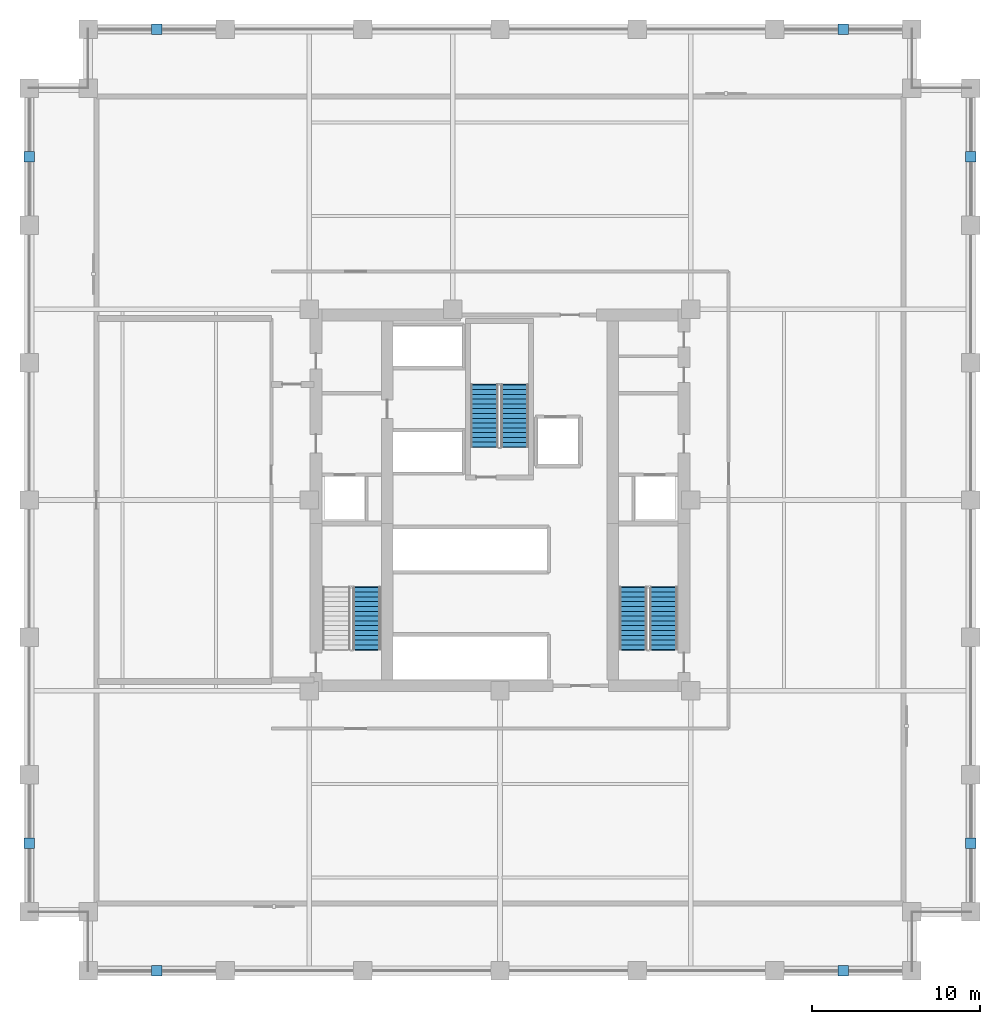
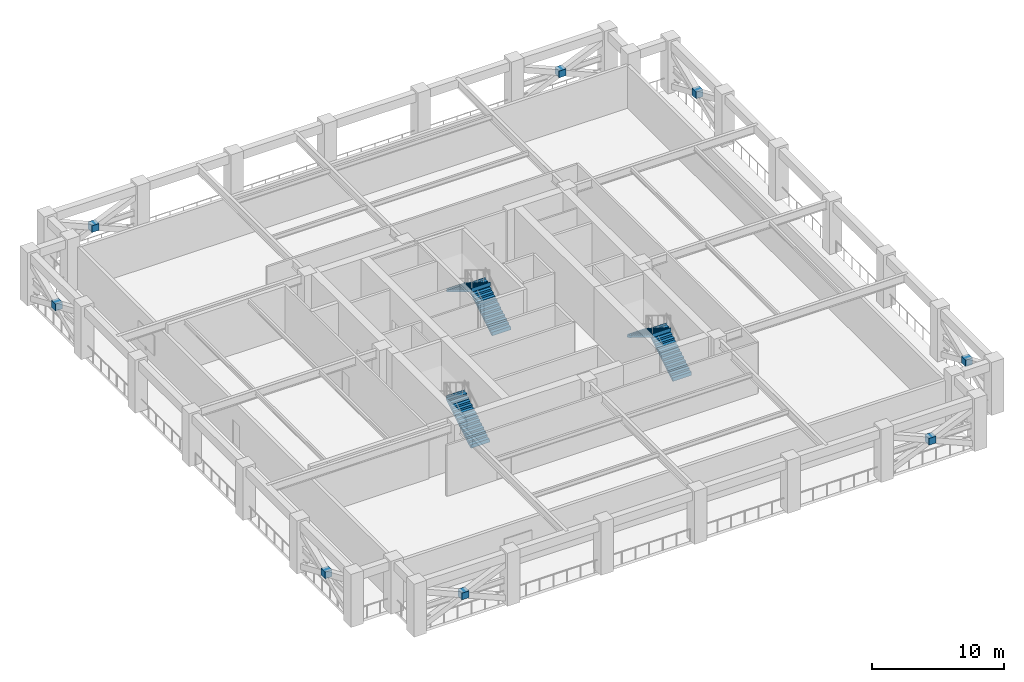
# One storey, part 4 of 11: 8 discrete accessories, 5 stair flights, 3 elements without a shape of their own.
"""IFC4 building model written with IfcOpenShell, lengths in metres."""

from ifc_helpers import new_model, si_unit, direction, frame, origin, origin_2d, place, context, subcontext, project, spatial, polyline, rectangle, outline, extrude, material, type_object, element, aggregate, save


model = new_model("IFC4")

# Units and contexts
model_context = context("Model", 3, precision=1e-05, world=origin(), true_north=direction((0.0, 1.0)))
body_context = subcontext(model_context, "Body", "Model", "MODEL_VIEW")
ifc_project = project(units=[si_unit("LENGTHUNIT", "METRE"), si_unit("AREAUNIT", "SQUARE_METRE"), si_unit("VOLUMEUNIT", "CUBIC_METRE"), si_unit("PLANEANGLEUNIT", "RADIAN"), si_unit("MASSUNIT", "GRAM", prefix="KILO")], contexts=[model_context])

# Site, building, storey
site_placement = place(None, origin())
site = spatial("IfcSite", under=ifc_project, at=site_placement, CompositionType="ELEMENT")
building_placement = place(site_placement, origin())
building = spatial("IfcBuilding", under=site, at=building_placement, Name="Nhamokura Convention Tower", CompositionType="ELEMENT")
storey_placement = place(building_placement, frame((0.0, 0.0, 77.35009765625)))
storey = spatial("IfcBuildingStorey", under=building, at=storey_placement, Name="L18", CompositionType="ELEMENT", Elevation=77.35009765625)

# Stair, stair flight
ifc_material_1 = material(Name="Concrete C40/50", Category="concrete")
stair_type = type_object("IfcStairType", Name="TowerCoreStair_1650", PredefinedType="HALF_TURN_STAIR", material=ifc_material_1)
stair_1_placement = place(storey_placement, origin())
stair_1 = element("IfcStair", 1, at=stair_1_placement, inside=storey, type_object=stair_type, Name="L18 West Core Smokeproof Stair ST-01", PredefinedType="HALF_TURN_STAIR")
ifc_material_2 = material(Name="Concrete C40/50", Category="concrete")
stair_flight_type = type_object("IfcStairFlightType", Name="TowerCoreStair_1650_Flight", PredefinedType="STRAIGHT", material=ifc_material_2)
stair_flight_1_placement = place(storey_placement, frame((24.074951171875, 23.10009765625, 0.0), z_axis=(0.0, 0.0, 1.0), x_axis=(0.0, 1.0, 0.0)))
stair_flight_1 = element("IfcStairFlight", 2, at=stair_flight_1_placement, type_object=stair_flight_type, Name="ST-01 flight 1", NumberOfRisers=14, NumberOfTreads=13, PredefinedType="STRAIGHT", RiserHeight=0.175, TreadLength=0.285, context=body_context, shape_type="SweptSolid", body=[
    extrude(outline(polyline([(-0.0419921875, 0.0), (0.0, 0.175048828125), (0.284912109375, 0.175048828125), (0.284912109375, 0.35009765625), (0.570068359375, 0.35009765625), (0.570068359375, 0.52490234375), (0.85498046875, 0.52490234375), (0.85498046875, 0.699951171875), (1.139892578125, 0.699951171875), (1.139892578125, 0.875), (1.425048828125, 0.875), (1.425048828125, 1.050048828125), (1.7099609375, 1.050048828125), (1.7099609375, 1.22509765625), (1.9951171875, 1.22509765625), (1.9951171875, 1.39990234375), (2.280029296875, 1.39990234375), (2.280029296875, 1.574951171875), (2.56494140625, 1.574951171875), (2.56494140625, 1.75), (2.85009765625, 1.75), (2.85009765625, 1.925048828125), (3.135009765625, 1.925048828125), (3.135009765625, 2.10009765625), (3.419921875, 2.10009765625), (3.419921875, 2.27490234375), (3.705078125, 2.27490234375), (3.705078125, 2.449951171875), (3.7470703125, 2.449951171875), (3.7470703125, 2.09912109375), (3.705078125, 2.09912109375), (0.286376953125, 0.0), (0.02001953125, -0.1298828125), (-0.0419921875, -0.1298828125), (-0.0419921875, 0.0)])), frame((0.0, 0.824951171875, 0.0), z_axis=(0.0, -1.0, 0.0), x_axis=(1.0, 0.0, 0.0)), (0.0, 0.0, 1.0), 1.64990234375),
])
aggregate(stair_1, [stair_flight_1])

# Stair, stair flights
stair_2_placement = place(storey_placement, origin())
stair_2 = element("IfcStair", 3, at=stair_2_placement, inside=storey, type_object=stair_type, Name="L18 East Core Smokeproof Stair ST-02", PredefinedType="HALF_TURN_STAIR")
stair_flight_2_placement = place(storey_placement, frame((41.72509765625, 23.10009765625, 0.0), z_axis=(0.0, 0.0, 1.0), x_axis=(0.0, 1.0, 0.0)))
stair_flight_2 = element("IfcStairFlight", 4, at=stair_flight_2_placement, type_object=stair_flight_type, Name="ST-02 flight 1", NumberOfRisers=14, NumberOfTreads=13, PredefinedType="STRAIGHT", RiserHeight=0.175, TreadLength=0.285, context=body_context, shape_type="SweptSolid", body=[
    extrude(outline(polyline([(-0.0419921875, 0.0), (0.0, 0.175048828125), (0.284912109375, 0.175048828125), (0.284912109375, 0.35009765625), (0.570068359375, 0.35009765625), (0.570068359375, 0.52490234375), (0.85498046875, 0.52490234375), (0.85498046875, 0.699951171875), (1.139892578125, 0.699951171875), (1.139892578125, 0.875), (1.425048828125, 0.875), (1.425048828125, 1.050048828125), (1.7099609375, 1.050048828125), (1.7099609375, 1.22509765625), (1.9951171875, 1.22509765625), (1.9951171875, 1.39990234375), (2.280029296875, 1.39990234375), (2.280029296875, 1.574951171875), (2.56494140625, 1.574951171875), (2.56494140625, 1.75), (2.85009765625, 1.75), (2.85009765625, 1.925048828125), (3.135009765625, 1.925048828125), (3.135009765625, 2.10009765625), (3.419921875, 2.10009765625), (3.419921875, 2.27490234375), (3.705078125, 2.27490234375), (3.705078125, 2.449951171875), (3.7470703125, 2.449951171875), (3.7470703125, 2.09912109375), (3.705078125, 2.09912109375), (0.286376953125, 0.0), (0.02001953125, -0.1298828125), (-0.0419921875, -0.1298828125), (-0.0419921875, 0.0)])), frame((0.0, 0.824951171875, 0.0), z_axis=(0.0, -1.0, 0.0), x_axis=(1.0, 0.0, 0.0)), (0.0, 0.0, 1.0), 1.64990234375),
])
stair_flight_3_placement = place(storey_placement, frame((39.925048828125, 26.804931640625, 2.449951171875), z_axis=(0.0, 0.0, 1.0), x_axis=(0.0, -1.0, 0.0)))
stair_flight_3 = element("IfcStairFlight", 5, at=stair_flight_3_placement, type_object=stair_flight_type, Name="ST-02 flight 2", NumberOfRisers=14, NumberOfTreads=13, PredefinedType="STRAIGHT", RiserHeight=0.175, TreadLength=0.285, context=body_context, shape_type="SweptSolid", body=[
    extrude(outline(polyline([(-0.0419921875, 0.0), (0.0, 0.175048828125), (0.284912109375, 0.175048828125), (0.284912109375, 0.35009765625), (0.570068359375, 0.35009765625), (0.570068359375, 0.52490234375), (0.85498046875, 0.52490234375), (0.85498046875, 0.699951171875), (1.139892578125, 0.699951171875), (1.139892578125, 0.875), (1.425048828125, 0.875), (1.425048828125, 1.050048828125), (1.7099609375, 1.050048828125), (1.7099609375, 1.22509765625), (1.9951171875, 1.22509765625), (1.9951171875, 1.39990234375), (2.280029296875, 1.39990234375), (2.280029296875, 1.574951171875), (2.56494140625, 1.574951171875), (2.56494140625, 1.75), (2.85009765625, 1.75), (2.85009765625, 1.925048828125), (3.135009765625, 1.925048828125), (3.135009765625, 2.10009765625), (3.419921875, 2.10009765625), (3.419921875, 2.27490234375), (3.705078125, 2.27490234375), (3.705078125, 2.449951171875), (3.7470703125, 2.449951171875), (3.7470703125, 2.09912109375), (3.705078125, 2.09912109375), (0.286376953125, 0.0), (0.02001953125, -0.1298828125), (-0.0419921875, -0.1298828125), (-0.0419921875, 0.0)])), frame((0.0, 0.824951171875, 0.0), z_axis=(0.0, -1.0, 0.0), x_axis=(1.0, 0.0, 0.0)), (0.0, 0.0, 1.0), 1.64990234375),
])
aggregate(stair_2, [stair_flight_2, stair_flight_3])

stair_3_placement = place(storey_placement, origin())
stair_3 = element("IfcStair", 6, at=stair_3_placement, inside=storey, type_object=stair_type, Name="L18 North Core Smokeproof Stair ST-03", PredefinedType="HALF_TURN_STAIR")
stair_flight_4_placement = place(storey_placement, frame((32.875, 35.14990234375, 0.0), z_axis=(0.0, 0.0, 1.0), x_axis=(0.0, 1.0, 0.0)))
stair_flight_4 = element("IfcStairFlight", 7, at=stair_flight_4_placement, type_object=stair_flight_type, Name="ST-03 flight 1", NumberOfRisers=14, NumberOfTreads=13, PredefinedType="STRAIGHT", RiserHeight=0.175, TreadLength=0.285, context=body_context, shape_type="SweptSolid", body=[
    extrude(outline(polyline([(-0.0419921875, 0.0), (0.0, 0.175048828125), (0.284912109375, 0.175048828125), (0.284912109375, 0.35009765625), (0.570068359375, 0.35009765625), (0.570068359375, 0.52490234375), (0.85498046875, 0.52490234375), (0.85498046875, 0.699951171875), (1.139892578125, 0.699951171875), (1.139892578125, 0.875), (1.425048828125, 0.875), (1.425048828125, 1.050048828125), (1.7099609375, 1.050048828125), (1.7099609375, 1.22509765625), (1.9951171875, 1.22509765625), (1.9951171875, 1.39990234375), (2.280029296875, 1.39990234375), (2.280029296875, 1.574951171875), (2.56494140625, 1.574951171875), (2.56494140625, 1.75), (2.85009765625, 1.75), (2.85009765625, 1.925048828125), (3.135009765625, 1.925048828125), (3.135009765625, 2.10009765625), (3.419921875, 2.10009765625), (3.419921875, 2.27490234375), (3.705078125, 2.27490234375), (3.705078125, 2.449951171875), (3.7470703125, 2.449951171875), (3.7470703125, 2.09912109375), (3.705078125, 2.09912109375), (0.286376953125, 0.0), (0.02001953125, -0.1298828125), (-0.0419921875, -0.1298828125), (-0.0419921875, 0.0)])), frame((0.0, 0.824951171875, 0.0), z_axis=(0.0, -1.0, 0.0), x_axis=(1.0, 0.0, 0.0)), (0.0, 0.0, 1.0), 1.64990234375),
])
stair_flight_5_placement = place(storey_placement, frame((31.074951171875, 38.85498046875, 2.449951171875), z_axis=(0.0, 0.0, 1.0), x_axis=(0.0, -1.0, 0.0)))
stair_flight_5 = element("IfcStairFlight", 8, at=stair_flight_5_placement, type_object=stair_flight_type, Name="ST-03 flight 2", NumberOfRisers=14, NumberOfTreads=13, PredefinedType="STRAIGHT", RiserHeight=0.175, TreadLength=0.285, context=body_context, shape_type="SweptSolid", body=[
    extrude(outline(polyline([(-0.0419921875, 0.0), (0.0, 0.175048828125), (0.284912109375, 0.175048828125), (0.284912109375, 0.35009765625), (0.570068359375, 0.35009765625), (0.570068359375, 0.52490234375), (0.85498046875, 0.52490234375), (0.85498046875, 0.699951171875), (1.139892578125, 0.699951171875), (1.139892578125, 0.875), (1.425048828125, 0.875), (1.425048828125, 1.050048828125), (1.7099609375, 1.050048828125), (1.7099609375, 1.22509765625), (1.9951171875, 1.22509765625), (1.9951171875, 1.39990234375), (2.280029296875, 1.39990234375), (2.280029296875, 1.574951171875), (2.56494140625, 1.574951171875), (2.56494140625, 1.75), (2.85009765625, 1.75), (2.85009765625, 1.925048828125), (3.135009765625, 1.925048828125), (3.135009765625, 2.10009765625), (3.419921875, 2.10009765625), (3.419921875, 2.27490234375), (3.705078125, 2.27490234375), (3.705078125, 2.449951171875), (3.7470703125, 2.449951171875), (3.7470703125, 2.09912109375), (3.705078125, 2.09912109375), (0.286376953125, 0.0), (0.02001953125, -0.1298828125), (-0.0419921875, -0.1298828125), (-0.0419921875, 0.0)])), frame((0.0, 0.824951171875, 0.0), z_axis=(0.0, -1.0, 0.0), x_axis=(1.0, 0.0, 0.0)), (0.0, 0.0, 1.0), 1.64990234375),
])
aggregate(stair_3, [stair_flight_4, stair_flight_5])

# Discrete accessories
ifc_material_3 = material(Name="Steel ASTM A572 Gr 50", Category="steel")
discrete_accessory_type = type_object("IfcDiscreteAccessoryType", Name="FacadeOutstandBracket", PredefinedType="BRACKET", material=ifc_material_3)
for number, where, z_axis, x_axis, name in (
    (9, (11.583251953125, 4.0, 1.7998046875), (0.0, 0.0, 1.0), (1.0, 0.0, 0.0), "L18 Outrigger X-Brace Crossing Node Gusset OUT-S0"),
    (10, (52.416748046875, 4.0, 1.7998046875), (0.0, 0.0, 1.0), (1.0, 0.0, 0.0), "L18 Outrigger X-Brace Crossing Node Gusset OUT-S5"),
    (11, (11.583251953125, 60.0, 1.7998046875), (0.0, 0.0, 1.0), (1.0, 0.0, 0.0), "L18 Outrigger X-Brace Crossing Node Gusset OUT-N0"),
    (12, (52.416748046875, 60.0, 1.7998046875), (0.0, 0.0, 1.0), (1.0, 0.0, 0.0), "L18 Outrigger X-Brace Crossing Node Gusset OUT-N5"),
    (13, (4.0, 11.583251953125, 1.7998046875), (0.0, 0.0, 1.0), (1.0, 0.0, 0.0), "L18 Outrigger X-Brace Crossing Node Gusset OUT-W0"),
    (14, (4.0, 52.416748046875, 1.7998046875), (0.0, 0.0, 1.0), (1.0, 0.0, 0.0), "L18 Outrigger X-Brace Crossing Node Gusset OUT-W5"),
    (15, (60.0, 11.583251953125, 1.7998046875), (0.0, 0.0, 1.0), (1.0, 0.0, 0.0), "L18 Outrigger X-Brace Crossing Node Gusset OUT-E0"),
    (16, (60.0, 52.416748046875, 1.7998046875), (0.0, 0.0, 1.0), (1.0, 0.0, 0.0), "L18 Outrigger X-Brace Crossing Node Gusset OUT-E5"),
):
    element("IfcDiscreteAccessory", number, at=place(storey_placement, frame(where, z_axis=z_axis, x_axis=x_axis)), inside=storey, type_object=discrete_accessory_type, Name=name, PredefinedType="BRACKET", context=body_context, shape_type="SweptSolid", body=[
        extrude(rectangle(XDim=0.6201171875, YDim=0.6201171875, at=origin_2d()), origin(), (0.0, 0.0, 1.0), 0.6201171875),
    ])

save(model, "model.ifc")
